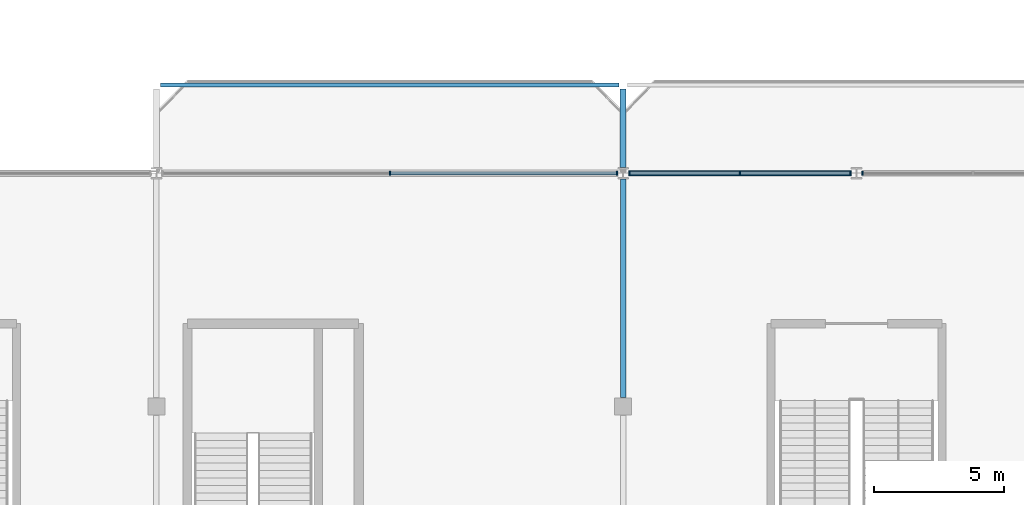
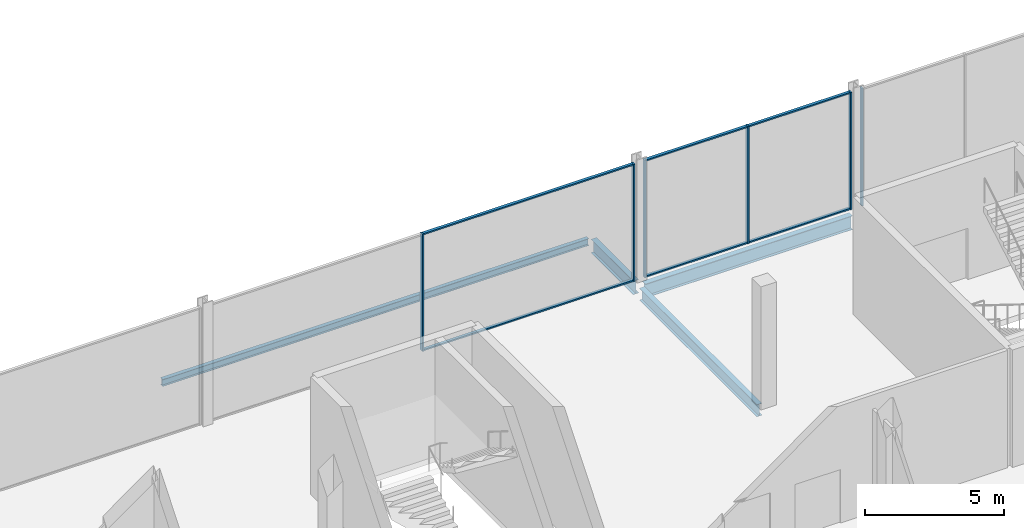
# One storey, part 24 of 113: 12 members, 4 beams, 3 elements without a shape of their own.
"""IFC4 building model written with IfcOpenShell, lengths in metres."""

from ifc_helpers import new_model, si_unit, direction, frame, origin, origin_2d, place, context, subcontext, project, spatial, rectangle, i_section, extrude, material, layer, layer_set, material_profile, profile_set, type_object, element, aggregate, save


model = new_model("IFC4")

# Units and contexts
model_context = context("Model", 3, precision=1e-05, world=origin(), true_north=direction((0.0, 1.0)))
body_context = subcontext(model_context, "Body", "Model", "MODEL_VIEW")
ifc_project = project(units=[si_unit("LENGTHUNIT", "METRE"), si_unit("AREAUNIT", "SQUARE_METRE"), si_unit("VOLUMEUNIT", "CUBIC_METRE"), si_unit("PLANEANGLEUNIT", "RADIAN"), si_unit("MASSUNIT", "GRAM", prefix="KILO")], contexts=[model_context])

# Site, building, storey
site_placement = place(None, origin())
site = spatial("IfcSite", under=ifc_project, at=site_placement, CompositionType="ELEMENT")
building_placement = place(site_placement, origin())
building = spatial("IfcBuilding", under=site, at=building_placement, Name="Kisiwana Market Hall", CompositionType="ELEMENT")
storey_placement = place(building_placement, frame((0.0, 0.0, 6.0)))
storey = spatial("IfcBuildingStorey", under=building, at=storey_placement, Name="L01", CompositionType="ELEMENT", Elevation=6.0)

# Beams
ifc_material_1 = material(Name="Steel S355", Category="steel")
ifc_material_profile_1 = material_profile(ifc_material_1, i_section(OverallWidth=0.2275390625, OverallDepth=0.6025390625, WebThickness=0.010498046875, FlangeThickness=0.014892578125, at=origin_2d()), Name="UB 610x229x101")
ifc_profile_set_1 = profile_set([ifc_material_profile_1], Name="Steel S355")
beam_type_1 = type_object("IfcBeamType", Name="BM-CANT-PROW", PredefinedType="BEAM", material=ifc_profile_set_1)
beam_1_placement = place(storey_placement, frame((81.0, 36.21337890625, -0.501220703125), z_axis=(0.0, 1.0, 0.0), x_axis=(-1.0, 0.0, 0.0)))
element("IfcBeam", 1, at=beam_1_placement, inside=storey, type_object=beam_type_1, Name="Gallery prow girder B-0581", PredefinedType="BEAM", context=body_context, shape_type="SweptSolid", body=[
    extrude(i_section(OverallWidth=0.2275390625, OverallDepth=0.6025390625, WebThickness=0.010498046875, FlangeThickness=0.014892578125, at=origin_2d()), origin(), (0.0, 0.0, 1.0), 3.03662109375),
])
ifc_material_2 = material(Name="Steel S355", Category="steel")
ifc_material_profile_2 = material_profile(ifc_material_2, i_section(OverallWidth=0.209228515625, OverallDepth=0.533203125, WebThickness=0.010009765625, FlangeThickness=0.015625, at=origin_2d()), Name="UB 533x210x92")
ifc_profile_set_2 = profile_set([ifc_material_profile_2], Name="Steel S355")
beam_type_2 = type_object("IfcBeamType", Name="BM-GIRD-UB533", PredefinedType="BEAM", material=ifc_profile_set_2)
beam_2_placement = place(storey_placement, frame((81.0, 27.345947265625, -0.5166015625), z_axis=(0.0, 1.0, 0.0), x_axis=(-1.0, 0.0, 0.0)))
element("IfcBeam", 2, at=beam_2_placement, inside=storey, type_object=beam_type_2, Name="Primary girder B-0369", PredefinedType="BEAM", context=body_context, shape_type="SweptSolid", body=[
    extrude(i_section(OverallWidth=0.209228515625, OverallDepth=0.533203125, WebThickness=0.010009765625, FlangeThickness=0.015625, at=origin_2d()), origin(), (0.0, 0.0, 1.0), 8.440673828125),
])
ifc_material_3 = material(Name="Steel S355", Category="steel")
ifc_material_profile_3 = material_profile(ifc_material_3, i_section(OverallWidth=0.22900390625, OverallDepth=0.6123046875, WebThickness=0.011962890625, FlangeThickness=0.01953125, at=origin_2d()), Name="UB 610x229x125")
ifc_profile_set_3 = profile_set([ifc_material_profile_3], Name="Steel S355")
beam_type_3 = type_object("IfcBeamType", Name="BM-GIRD-UB610H", PredefinedType="BEAM", material=ifc_profile_set_3)
beam_3_placement = place(storey_placement, frame((81.201904296875, 36.0, -0.55615234375), z_axis=(1.0, 0.0, 0.0), x_axis=(0.0, 1.0, 0.0)))
element("IfcBeam", 3, at=beam_3_placement, inside=storey, type_object=beam_type_3, Name="Floor beam B-0491", PredefinedType="BEAM", context=body_context, shape_type="SweptSolid", body=[
    extrude(i_section(OverallWidth=0.22900390625, OverallDepth=0.6123046875, WebThickness=0.011962890625, FlangeThickness=0.01953125, at=origin_2d()), origin(), (0.0, 0.0, 1.0), 8.59619140625),
])
ifc_material_4 = material(Name="Steel S355", Category="steel")
ifc_material_profile_4 = material_profile(ifc_material_4, i_section(OverallWidth=0.1650390625, OverallDepth=0.303466796875, WebThickness=0.006103515625, FlangeThickness=0.01025390625, at=origin_2d()), Name="UB 305x165x40")
ifc_profile_set_4 = profile_set([ifc_material_profile_4], Name="Steel S355")
beam_type_4 = type_object("IfcBeamType", Name="BM-JOIST-UB305", PredefinedType="JOIST", material=ifc_profile_set_4)
beam_4_placement = place(storey_placement, frame((63.159912109375, 39.39990234375, -0.351806640625), z_axis=(1.0, 0.0, 0.0), x_axis=(0.0, 1.0, 0.0)))
element("IfcBeam", 4, at=beam_4_placement, inside=storey, type_object=beam_type_4, Name="Prow edge tie B-0583", PredefinedType="JOIST", context=body_context, shape_type="SweptSolid", body=[
    extrude(i_section(OverallWidth=0.1650390625, OverallDepth=0.303466796875, WebThickness=0.006103515625, FlangeThickness=0.01025390625, at=origin_2d()), origin(), (0.0, 0.0, 1.0), 17.68017578125),
])

# Curtain wall, members
ifc_material_5 = material(Name="Double-glazed solar-control low-E IGU", Category="glass")
ifc_layer = layer(ifc_material_5, 0.159912109375)
ifc_layer_set = layer_set([ifc_layer], Name="CW-FC-N-8100")
curtain_wall_type = type_object("IfcCurtainWallType", Name="CW-FC-N-8100", PredefinedType="USERDEFINED", material=ifc_layer_set)
curtain_wall_1_placement = place(storey_placement, origin())
curtain_wall_1 = element("IfcCurtainWall", 5, at=curtain_wall_1_placement, inside=storey, type_object=curtain_wall_type, Name="Unitised curtain wall CW-018 (L01)", ObjectType="UNITISED CURTAIN WALL", PredefinedType="USERDEFINED")
ifc_material_6 = material(Name="Aluminium alloy 6063-T6", Category="aluminium")
ifc_material_profile_5 = material_profile(ifc_material_6, rectangle(XDim=0.06005859375, YDim=0.159912109375, at=origin_2d()), Name="ALU MULLION 60x160")
ifc_profile_set_5 = profile_set([ifc_material_profile_5], Name="Aluminium alloy 6063-T6")
member_type_1 = type_object("IfcMemberType", Name="CW-MULL-60x160", PredefinedType="MULLION", material=ifc_profile_set_5)
member_1_placement = place(storey_placement, frame((72.0, 36.0, 0.0), z_axis=(0.0, 0.0, 1.0), x_axis=(1.0, 0.0, 0.0)))
member_1 = element("IfcMember", 6, at=member_1_placement, type_object=member_type_1, Name="CW-018 mullion 2", PredefinedType="MULLION", context=body_context, shape_type="SweptSolid", body=[
    extrude(rectangle(XDim=0.06005859375, YDim=0.159912109375, at=origin_2d()), origin(), (0.0, 0.0, 1.0), 5.14990234375),
])
member_2_placement = place(storey_placement, frame((80.763916015625, 36.0, 0.0), z_axis=(0.0, 0.0, 1.0), x_axis=(1.0, 0.0, 0.0)))
member_2 = element("IfcMember", 7, at=member_2_placement, type_object=member_type_1, Name="CW-018 mullion 3", PredefinedType="MULLION", context=body_context, shape_type="SweptSolid", body=[
    extrude(rectangle(XDim=0.06005859375, YDim=0.159912109375, at=origin_2d()), origin(), (0.0, 0.0, 1.0), 5.14990234375),
])

curtain_wall_2_placement = place(storey_placement, origin())
curtain_wall_2 = element("IfcCurtainWall", 8, at=curtain_wall_2_placement, inside=storey, type_object=curtain_wall_type, Name="Unitised curtain wall CW-019 (L01)", ObjectType="UNITISED CURTAIN WALL", PredefinedType="USERDEFINED")
member_3_placement = place(storey_placement, frame((81.236083984375, 36.0, 0.0), z_axis=(0.0, 0.0, 1.0), x_axis=(1.0, 0.0, 0.0)))
member_3 = element("IfcMember", 9, at=member_3_placement, type_object=member_type_1, Name="CW-019 mullion 1", PredefinedType="MULLION", context=body_context, shape_type="SweptSolid", body=[
    extrude(rectangle(XDim=0.06005859375, YDim=0.159912109375, at=origin_2d()), origin(), (0.0, 0.0, 1.0), 5.14990234375),
])
member_4_placement = place(storey_placement, frame((85.5, 36.0, 0.0), z_axis=(0.0, 0.0, 1.0), x_axis=(1.0, 0.0, 0.0)))
member_4 = element("IfcMember", 10, at=member_4_placement, type_object=member_type_1, Name="CW-019 mullion 2", PredefinedType="MULLION", context=body_context, shape_type="SweptSolid", body=[
    extrude(rectangle(XDim=0.06005859375, YDim=0.159912109375, at=origin_2d()), origin(), (0.0, 0.0, 1.0), 5.14990234375),
])
member_5_placement = place(storey_placement, frame((89.763916015625, 36.0, 0.0), z_axis=(0.0, 0.0, 1.0), x_axis=(1.0, 0.0, 0.0)))
member_5 = element("IfcMember", 11, at=member_5_placement, type_object=member_type_1, Name="CW-019 mullion 3", PredefinedType="MULLION", context=body_context, shape_type="SweptSolid", body=[
    extrude(rectangle(XDim=0.06005859375, YDim=0.159912109375, at=origin_2d()), origin(), (0.0, 0.0, 1.0), 5.14990234375),
])

# Curtain wall, member
curtain_wall_3_placement = place(storey_placement, origin())
curtain_wall_3 = element("IfcCurtainWall", 12, at=curtain_wall_3_placement, inside=storey, type_object=curtain_wall_type, Name="Unitised curtain wall CW-020 (L01)", ObjectType="UNITISED CURTAIN WALL", PredefinedType="USERDEFINED")
member_6_placement = place(storey_placement, frame((90.236083984375, 36.0, 0.0), z_axis=(0.0, 0.0, 1.0), x_axis=(1.0, 0.0, 0.0)))
member_6 = element("IfcMember", 13, at=member_6_placement, type_object=member_type_1, Name="CW-020 mullion 1", PredefinedType="MULLION", context=body_context, shape_type="SweptSolid", body=[
    extrude(rectangle(XDim=0.06005859375, YDim=0.159912109375, at=origin_2d()), origin(), (0.0, 0.0, 1.0), 5.14990234375),
])
aggregate(curtain_wall_3, [member_6])

# Member
ifc_material_7 = material(Name="Aluminium alloy 6063-T6", Category="aluminium")
ifc_material_profile_6 = material_profile(ifc_material_7, rectangle(XDim=0.1201171875, YDim=0.06005859375, at=origin_2d()), Name="ALU TRANSOM 60x120")
ifc_profile_set_6 = profile_set([ifc_material_profile_6], Name="Aluminium alloy 6063-T6")
member_type_2 = type_object("IfcMemberType", Name="CW-TRAN-60x120", PredefinedType="USERDEFINED", material=ifc_profile_set_6)
member_7_placement = place(storey_placement, frame((72.030029296875, 36.0, 0.030029296875), z_axis=(1.0, 0.0, 0.0), x_axis=(0.0, 1.0, 0.0)))
member_7 = element("IfcMember", 14, at=member_7_placement, type_object=member_type_2, Name="CW-018 transom 2.1", ObjectType="TRANSOM", PredefinedType="USERDEFINED", context=body_context, shape_type="SweptSolid", body=[
    extrude(rectangle(XDim=0.1201171875, YDim=0.06005859375, at=origin_2d()), origin(), (0.0, 0.0, 1.0), 8.703857421875),
])

member_8_placement = place(storey_placement, frame((72.030029296875, 36.0, 5.1201171875), z_axis=(1.0, 0.0, 0.0), x_axis=(0.0, 1.0, 0.0)))
member_8 = element("IfcMember", 15, at=member_8_placement, type_object=member_type_2, Name="CW-018 transom 2.2", ObjectType="TRANSOM", PredefinedType="USERDEFINED", context=body_context, shape_type="SweptSolid", body=[
    extrude(rectangle(XDim=0.1201171875, YDim=0.06005859375, at=origin_2d()), origin(), (0.0, 0.0, 1.0), 8.703857421875),
])

aggregate(curtain_wall_1, [member_1, member_2, member_7, member_8])

member_9_placement = place(storey_placement, frame((81.26611328125, 36.0, 0.030029296875), z_axis=(1.0, 0.0, 0.0), x_axis=(0.0, 1.0, 0.0)))
member_9 = element("IfcMember", 16, at=member_9_placement, type_object=member_type_2, Name="CW-019 transom 1.1", ObjectType="TRANSOM", PredefinedType="USERDEFINED", context=body_context, shape_type="SweptSolid", body=[
    extrude(rectangle(XDim=0.1201171875, YDim=0.06005859375, at=origin_2d()), origin(), (0.0, 0.0, 1.0), 4.203857421875),
])

member_10_placement = place(storey_placement, frame((81.26611328125, 36.0, 5.1201171875), z_axis=(1.0, 0.0, 0.0), x_axis=(0.0, 1.0, 0.0)))
member_10 = element("IfcMember", 17, at=member_10_placement, type_object=member_type_2, Name="CW-019 transom 1.2", ObjectType="TRANSOM", PredefinedType="USERDEFINED", context=body_context, shape_type="SweptSolid", body=[
    extrude(rectangle(XDim=0.1201171875, YDim=0.06005859375, at=origin_2d()), origin(), (0.0, 0.0, 1.0), 4.203857421875),
])

member_11_placement = place(storey_placement, frame((85.530029296875, 36.0, 0.030029296875), z_axis=(1.0, 0.0, 0.0), x_axis=(0.0, 1.0, 0.0)))
member_11 = element("IfcMember", 18, at=member_11_placement, type_object=member_type_2, Name="CW-019 transom 2.1", ObjectType="TRANSOM", PredefinedType="USERDEFINED", context=body_context, shape_type="SweptSolid", body=[
    extrude(rectangle(XDim=0.1201171875, YDim=0.06005859375, at=origin_2d()), origin(), (0.0, 0.0, 1.0), 4.203857421875),
])

member_12_placement = place(storey_placement, frame((85.530029296875, 36.0, 5.1201171875), z_axis=(1.0, 0.0, 0.0), x_axis=(0.0, 1.0, 0.0)))
member_12 = element("IfcMember", 19, at=member_12_placement, type_object=member_type_2, Name="CW-019 transom 2.2", ObjectType="TRANSOM", PredefinedType="USERDEFINED", context=body_context, shape_type="SweptSolid", body=[
    extrude(rectangle(XDim=0.1201171875, YDim=0.06005859375, at=origin_2d()), origin(), (0.0, 0.0, 1.0), 4.203857421875),
])

aggregate(curtain_wall_2, [member_3, member_4, member_5, member_9, member_10, member_11, member_12])

save(model, "model.ifc")
